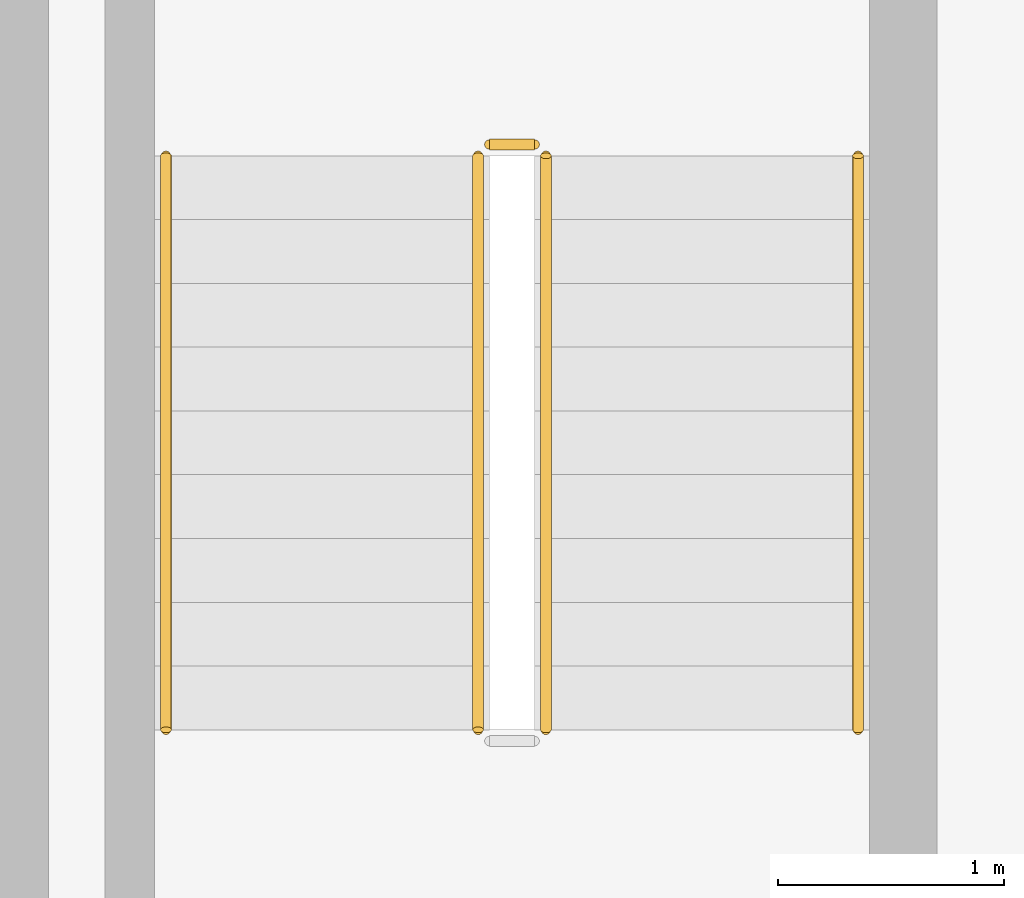
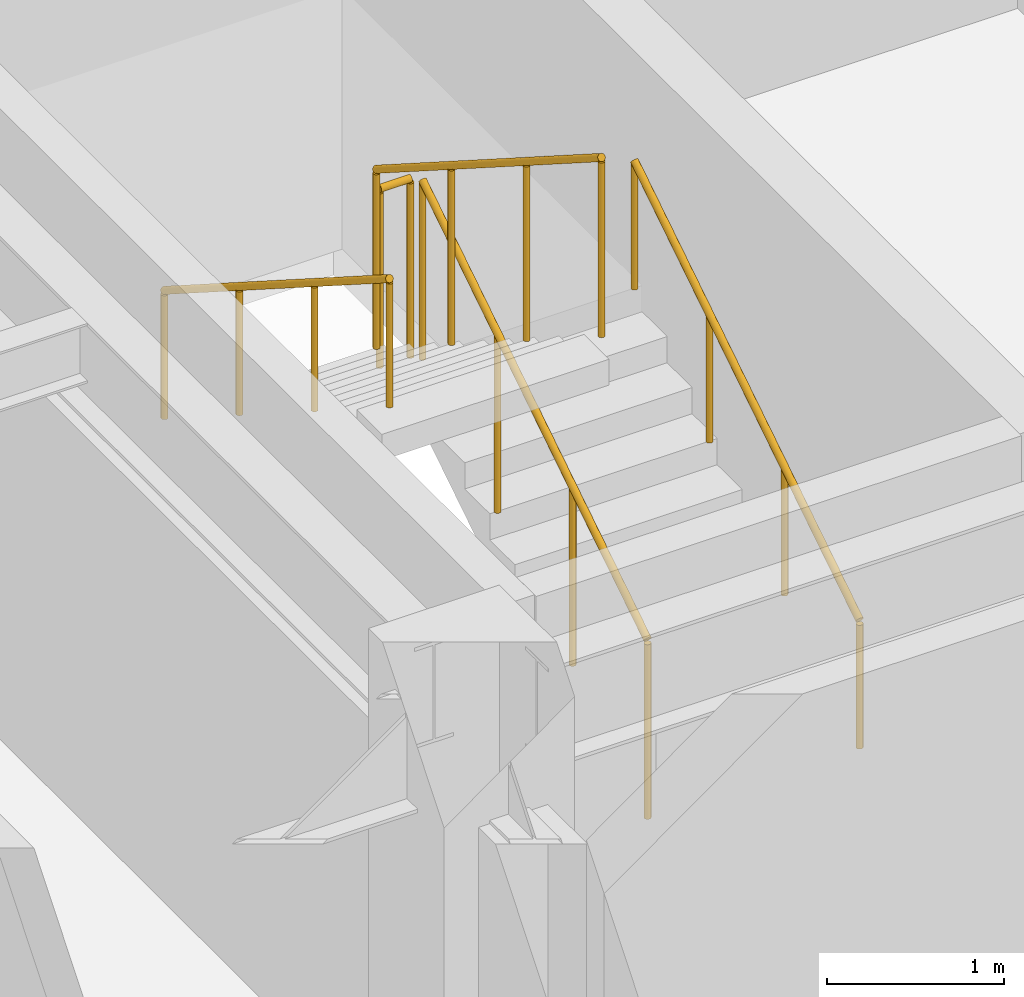
# One storey, part 14 of 14: 5 railings.
"""IFC4 building model written with IfcOpenShell, lengths in metres."""

from ifc_helpers import new_model, si_unit, direction, frame, origin, origin_2d, place, context, subcontext, project, spatial, circle, extrude, material, type_object, element, save


model = new_model("IFC4")

# Units and contexts
model_context = context("Model", 3, precision=1e-05, world=origin(), true_north=direction((0.0, 1.0)))
body_context = subcontext(model_context, "Body", "Model", "MODEL_VIEW")
ifc_project = project(units=[si_unit("LENGTHUNIT", "METRE"), si_unit("AREAUNIT", "SQUARE_METRE"), si_unit("VOLUMEUNIT", "CUBIC_METRE"), si_unit("PLANEANGLEUNIT", "RADIAN"), si_unit("MASSUNIT", "GRAM", prefix="KILO")], contexts=[model_context])

# Site, building, storey
site_placement = place(None, origin())
site = spatial("IfcSite", under=ifc_project, at=site_placement, CompositionType="ELEMENT")
building_placement = place(site_placement, origin())
building = spatial("IfcBuilding", under=site, at=building_placement, Name="Ochreholt Gables", CompositionType="ELEMENT")
storey_placement = place(building_placement, frame((0.0, 0.0, 42.0)))
storey = spatial("IfcBuildingStorey", under=building, at=storey_placement, Name="L10", CompositionType="ELEMENT", Elevation=42.0)

# Railings
ifc_material_1 = material(Name="Painted Steel Stair Guardrail", Category="steel")
railing_type_1 = type_object("IfcRailingType", Name="RL-ST-GUARD", PredefinedType="GUARDRAIL", material=ifc_material_1)
railing_1_placement = place(storey_placement, frame((26.64990234375, 32.4599609375, 0.179931640625)))
element("IfcRailing", 1, at=railing_1_placement, inside=storey, type_object=railing_type_1, Name="L10 ST-2 stair guard 1", PredefinedType="GUARDRAIL", context=body_context, shape_type="SweptSolid", body=[
    extrude(circle(Radius=0.02392578125, at=origin_2d()), frame((0.0, 0.0, 1.22607421875), z_axis=(0.0, 0.842912820907, 0.538050161556), x_axis=(-1.0, 0.0, 0.0)), (0.0, 0.0, 1.0), 3.010986328125),
    extrude(circle(Radius=0.02099609375, at=origin_2d()), origin(), (0.0, 0.0, 1.0), 1.201904296875),
    extrude(circle(Radius=0.02099609375, at=origin_2d()), frame((0.0, 0.845947265625, 0.5400390625)), (0.0, 0.0, 1.0), 1.201904296875),
    extrude(circle(Radius=0.02099609375, at=origin_2d()), frame((0.0, 1.692138671875, 1.080078125)), (0.0, 0.0, 1.0), 1.201904296875),
    extrude(circle(Radius=0.02099609375, at=origin_2d()), frame((0.0, 2.5380859375, 1.6201171875)), (0.0, 0.0, 1.0), 1.201904296875),
])
railing_2_placement = place(storey_placement, frame((26.60009765625, 35.048095703125, 1.800048828125)))
element("IfcRailing", 2, at=railing_2_placement, inside=storey, type_object=railing_type_1, Name="L10 ST-2 stair guard 2", PredefinedType="GUARDRAIL", context=body_context, shape_type="SweptSolid", body=[
    extrude(circle(Radius=0.02392578125, at=origin_2d()), frame((0.0, 0.0, 1.22607421875), z_axis=(-1.0, 0.0, 0.0), x_axis=(0.0, -1.0, 0.0)), (0.0, 0.0, 1.0), 0.2001953125),
    extrude(circle(Radius=0.02099609375, at=origin_2d()), origin(), (0.0, 0.0, 1.0), 1.201904296875),
    extrude(circle(Radius=0.02099609375, at=origin_2d()), frame((-0.2001953125, 0.0, 0.0)), (0.0, 0.0, 1.0), 1.201904296875),
])
railing_3_placement = place(storey_placement, frame((26.35009765625, 34.998046875, 1.97998046875)))
element("IfcRailing", 3, at=railing_3_placement, inside=storey, type_object=railing_type_1, Name="L10 ST-2 stair guard 3", PredefinedType="GUARDRAIL", context=body_context, shape_type="SweptSolid", body=[
    extrude(circle(Radius=0.02392578125, at=origin_2d()), frame((0.0, 0.0, 1.22607421875), z_axis=(0.0, -0.842912820907, 0.538050161556), x_axis=(1.0, 0.0, 0.0)), (0.0, 0.0, 1.0), 3.010986328125),
    extrude(circle(Radius=0.02099609375, at=origin_2d()), origin(), (0.0, 0.0, 1.0), 1.201904296875),
    extrude(circle(Radius=0.02099609375, at=origin_2d()), frame((0.0, -0.845947265625, 0.5400390625)), (0.0, 0.0, 1.0), 1.201904296875),
    extrude(circle(Radius=0.02099609375, at=origin_2d()), frame((0.0, -1.692138671875, 1.080078125)), (0.0, 0.0, 1.0), 1.201904296875),
    extrude(circle(Radius=0.02099609375, at=origin_2d()), frame((0.0, -2.5380859375, 1.6201171875)), (0.0, 0.0, 1.0), 1.201904296875),
])
ifc_material_2 = material(Name="Brushed Stainless Steel Wall Handrail", Category="steel")
railing_type_2 = type_object("IfcRailingType", Name="RL-ST-HAND", PredefinedType="HANDRAIL", material=ifc_material_2)
railing_4_placement = place(storey_placement, frame((28.030029296875, 32.4599609375, 0.179931640625)))
element("IfcRailing", 4, at=railing_4_placement, inside=storey, type_object=railing_type_2, Name="L10 ST-2 stair handrail 1", PredefinedType="HANDRAIL", context=body_context, shape_type="SweptSolid", body=[
    extrude(circle(Radius=0.02392578125, at=origin_2d()), frame((0.0, 0.0, 0.8759765625), z_axis=(0.0, 0.842912820907, 0.538050161556), x_axis=(-1.0, 0.0, 0.0)), (0.0, 0.0, 1.0), 3.010986328125),
    extrude(circle(Radius=0.02099609375, at=origin_2d()), origin(), (0.0, 0.0, 1.0), 0.851806640625),
    extrude(circle(Radius=0.02099609375, at=origin_2d()), frame((0.0, 0.845947265625, 0.5400390625)), (0.0, 0.0, 1.0), 0.851806640625),
    extrude(circle(Radius=0.02099609375, at=origin_2d()), frame((0.0, 1.692138671875, 1.080078125)), (0.0, 0.0, 1.0), 0.851806640625),
    extrude(circle(Radius=0.02099609375, at=origin_2d()), frame((0.0, 2.5380859375, 1.6201171875)), (0.0, 0.0, 1.0), 0.851806640625),
])
railing_5_placement = place(storey_placement, frame((24.969970703125, 34.998046875, 1.97998046875)))
element("IfcRailing", 5, at=railing_5_placement, inside=storey, type_object=railing_type_2, Name="L10 ST-2 stair handrail 2", PredefinedType="HANDRAIL", context=body_context, shape_type="SweptSolid", body=[
    extrude(circle(Radius=0.02392578125, at=origin_2d()), frame((0.0, 0.0, 0.8759765625), z_axis=(0.0, -0.842912820907, 0.538050161556), x_axis=(1.0, 0.0, 0.0)), (0.0, 0.0, 1.0), 3.010986328125),
    extrude(circle(Radius=0.02099609375, at=origin_2d()), origin(), (0.0, 0.0, 1.0), 0.851806640625),
    extrude(circle(Radius=0.02099609375, at=origin_2d()), frame((0.0, -0.845947265625, 0.5400390625)), (0.0, 0.0, 1.0), 0.851806640625),
    extrude(circle(Radius=0.02099609375, at=origin_2d()), frame((0.0, -1.692138671875, 1.080078125)), (0.0, 0.0, 1.0), 0.851806640625),
    extrude(circle(Radius=0.02099609375, at=origin_2d()), frame((0.0, -2.5380859375, 1.6201171875)), (0.0, 0.0, 1.0), 0.851806640625),
])

save(model, "model.ifc")
